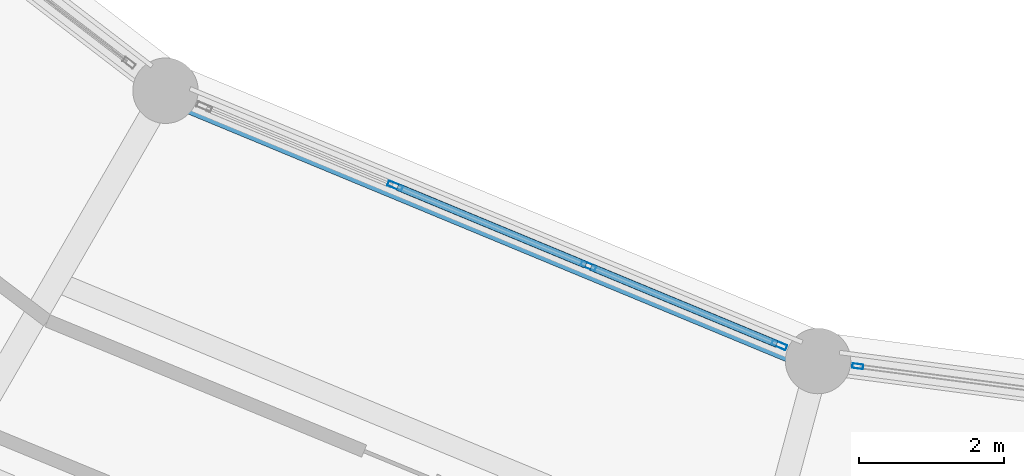
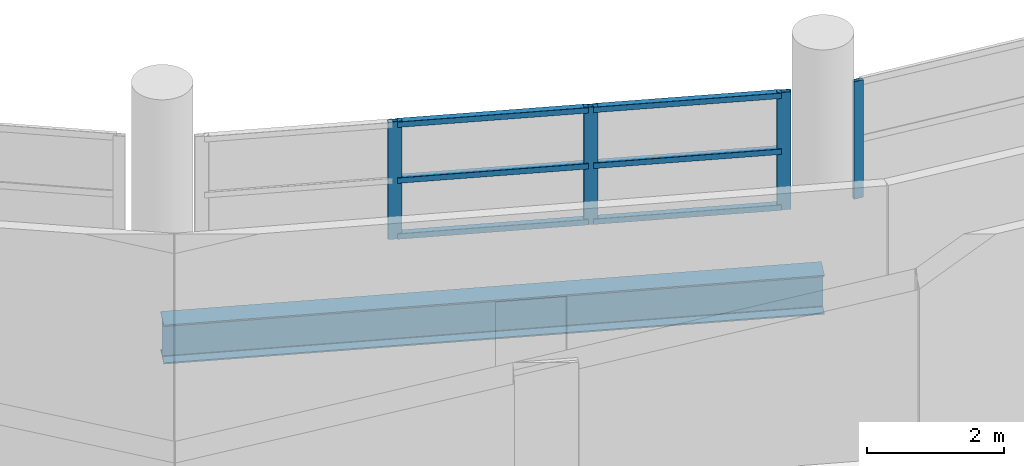
# One storey, part 11 of 88: 10 members, 1 beam, 2 elements without a shape of their own.
"""IFC4 building model written with IfcOpenShell, lengths in metres."""

from ifc_helpers import new_model, si_unit, direction, frame, origin, origin_2d, place, context, subcontext, project, spatial, hollow_rectangle, i_section, extrude, material, layer, layer_set, material_profile, profile_set, type_object, element, aggregate, save


model = new_model("IFC4")

# Units and contexts
model_context = context("Model", 3, precision=1e-05, world=origin(), true_north=direction((0.0, 1.0)))
body_context = subcontext(model_context, "Body", "Model", "MODEL_VIEW")
ifc_project = project(units=[si_unit("LENGTHUNIT", "METRE"), si_unit("AREAUNIT", "SQUARE_METRE"), si_unit("VOLUMEUNIT", "CUBIC_METRE"), si_unit("PLANEANGLEUNIT", "RADIAN"), si_unit("MASSUNIT", "GRAM", prefix="KILO")], contexts=[model_context])

# Site, building, storey
site_placement = place(None, origin())
site = spatial("IfcSite", under=ifc_project, at=site_placement, CompositionType="ELEMENT")
building_placement = place(site_placement, origin())
building = spatial("IfcBuilding", under=site, at=building_placement, Name="Vespera Passage Community Centre", CompositionType="ELEMENT")
storey_placement = place(building_placement, frame((0.0, 0.0, 16.5)))
storey = spatial("IfcBuildingStorey", under=building, at=storey_placement, Name="L04", CompositionType="ELEMENT", Elevation=16.5)

# Beam
ifc_material_1 = material(Name="Steel ASTM A992 Grade 50", Category="steel")
ifc_material_profile_1 = material_profile(ifc_material_1, i_section(OverallWidth=0.3544921875, OverallDepth=0.695556640625, WebThickness=0.015380859375, FlangeThickness=0.024658203125, FilletRadius=0.01513671875, at=origin_2d()), Name="W27X146")
ifc_profile_set_1 = profile_set([ifc_material_profile_1], Name="Steel ASTM A992 Grade 50")
beam_type = type_object("IfcBeamType", Name="BM-SP-W27X146E", PredefinedType="SPANDREL", material=ifc_profile_set_1)
beam_placement = place(storey_placement, frame((59.39990234375, 33.283935546875, -0.647705078125), z_axis=(0.923878947685, -0.382684844258, 0.0), x_axis=(0.382684844258, 0.923878947685, 0.0)))
element("IfcBeam", 1, at=beam_placement, inside=storey, type_object=beam_type, Name="V4 L04 Inner Spandrel 16", PredefinedType="SPANDREL", context=body_context, shape_type="SweptSolid", body=[
    extrude(i_section(OverallWidth=0.3544921875, OverallDepth=0.695556640625, WebThickness=0.015380859375, FlangeThickness=0.024658203125, FilletRadius=0.01513671875, at=origin_2d()), origin(), (0.0, 0.0, 1.0), 9.711181640625),
])

# Curtain wall, member
ifc_material_2 = material(Name="Anodized aluminium 6063-T6", Category="aluminium")
ifc_layer_1 = layer(ifc_material_2, 0.159912109375)
ifc_layer_set_1 = layer_set([ifc_layer_1], Name="Anodized aluminium 6063-T6")
curtain_wall_type_1 = type_object("IfcCurtainWallType", Name="CW-58E", PredefinedType="NOTDEFINED", material=ifc_layer_set_1)
curtain_wall_1_placement = place(storey_placement, origin())
curtain_wall_1 = element("IfcCurtainWall", 2, at=curtain_wall_1_placement, inside=storey, type_object=curtain_wall_type_1, Name="V4 L04 Inner Court Curtain Wall 17", PredefinedType="NOTDEFINED")
ifc_material_3 = material(Name="Anodized aluminium 6063-T6", Category="aluminium")
ifc_material_profile_2 = material_profile(ifc_material_3, hollow_rectangle(XDim=0.06494140625, YDim=0.14990234375, WallThickness=0.00390625, InnerFilletRadius=0.001953125, OuterFilletRadius=0.00390625, at=origin_2d()), Name="ALU150X65X4")
ifc_profile_set_2 = profile_set([ifc_material_profile_2], Name="Anodized aluminium 6063-T6")
member_type_1 = type_object("IfcMemberType", Name="MB-CWM-150E", PredefinedType="MULLION", material=ifc_profile_set_2)
member_1_placement = place(storey_placement, frame((68.917236328125, 29.495849609375, 0.820068359375), z_axis=(0.0, 0.0, 1.0), x_axis=(0.1305221941, 0.991445387728, 0.0)))
member_1 = element("IfcMember", 3, at=member_1_placement, type_object=member_type_1, Name="CW-58E mullion 1", PredefinedType="MULLION", context=body_context, shape_type="SweptSolid", body=[
    extrude(hollow_rectangle(XDim=0.06494140625, YDim=0.14990234375, WallThickness=0.00390625, InnerFilletRadius=0.001953125, OuterFilletRadius=0.00390625, at=origin_2d()), origin(), (0.0, 0.0, 1.0), 2.08935546875),
])
aggregate(curtain_wall_1, [member_1])

# Curtain wall, members
ifc_material_4 = material(Name="Anodized aluminium 6063-T6", Category="aluminium")
ifc_layer_2 = layer(ifc_material_4, 0.159912109375)
ifc_layer_set_2 = layer_set([ifc_layer_2], Name="Anodized aluminium 6063-T6")
curtain_wall_type_2 = type_object("IfcCurtainWallType", Name="CW-56E", PredefinedType="NOTDEFINED", material=ifc_layer_set_2)
curtain_wall_2_placement = place(storey_placement, origin())
curtain_wall_2 = element("IfcCurtainWall", 4, at=curtain_wall_2_placement, inside=storey, type_object=curtain_wall_type_2, Name="V4 L04 Inner Court Curtain Wall 16", PredefinedType="NOTDEFINED")
ifc_material_5 = material(Name="Anodized aluminium 6063-T6", Category="aluminium")
ifc_material_profile_3 = material_profile(ifc_material_5, hollow_rectangle(XDim=0.074951171875, YDim=0.2099609375, WallThickness=0.0048828125, InnerFilletRadius=0.00244140625, OuterFilletRadius=0.0048828125, at=origin_2d()), Name="ALU210X75X5")
ifc_profile_set_3 = profile_set([ifc_material_profile_3], Name="Anodized aluminium 6063-T6")
member_type_2 = type_object("IfcMemberType", Name="MB-CWM-210E", PredefinedType="MULLION", material=ifc_profile_set_3)
member_2_placement = place(storey_placement, frame((62.556884765625, 31.976318359375, 0.820068359375), z_axis=(0.0, 0.0, 1.0), x_axis=(0.382690463482, 0.923876620096, 0.0)))
member_2 = element("IfcMember", 5, at=member_2_placement, type_object=member_type_2, Name="CW-56E mullion 2", PredefinedType="MULLION", context=body_context, shape_type="SweptSolid", body=[
    extrude(hollow_rectangle(XDim=0.074951171875, YDim=0.2099609375, WallThickness=0.0048828125, InnerFilletRadius=0.00244140625, OuterFilletRadius=0.0048828125, at=origin_2d()), origin(), (0.0, 0.0, 1.0), 2.08935546875),
])
member_3_placement = place(storey_placement, frame((65.215087890625, 30.875244140625, 0.820068359375), z_axis=(0.0, 0.0, 1.0), x_axis=(0.382690463482, 0.923876620096, 0.0)))
member_3 = element("IfcMember", 6, at=member_3_placement, type_object=member_type_2, Name="CW-56E mullion 3", PredefinedType="MULLION", context=body_context, shape_type="SweptSolid", body=[
    extrude(hollow_rectangle(XDim=0.074951171875, YDim=0.2099609375, WallThickness=0.0048828125, InnerFilletRadius=0.00244140625, OuterFilletRadius=0.0048828125, at=origin_2d()), origin(), (0.0, 0.0, 1.0), 2.08935546875),
])
member_4_placement = place(storey_placement, frame((67.838623046875, 29.788330078125, 0.820068359375), z_axis=(0.0, 0.0, 1.0), x_axis=(0.382690463482, 0.923876620096, 0.0)))
member_4 = element("IfcMember", 7, at=member_4_placement, type_object=member_type_2, Name="CW-56E mullion 4", PredefinedType="MULLION", context=body_context, shape_type="SweptSolid", body=[
    extrude(hollow_rectangle(XDim=0.074951171875, YDim=0.2099609375, WallThickness=0.0048828125, InnerFilletRadius=0.00244140625, OuterFilletRadius=0.0048828125, at=origin_2d()), origin(), (0.0, 0.0, 1.0), 2.08935546875),
])
ifc_material_6 = material(Name="Anodized aluminium 6063-T6", Category="aluminium")
ifc_material_profile_4 = material_profile(ifc_material_6, hollow_rectangle(XDim=0.10009765625, YDim=0.10009765625, WallThickness=0.00390625, InnerFilletRadius=0.001953125, OuterFilletRadius=0.00390625, at=origin_2d()), Name="ALU100X100X4")
ifc_profile_set_4 = profile_set([ifc_material_profile_4], Name="Anodized aluminium 6063-T6")
member_type_3 = type_object("IfcMemberType", Name="MB-CWT-100E", PredefinedType="USERDEFINED", material=ifc_profile_set_4)
member_5_placement = place(storey_placement, frame((62.591552734375, 31.9619140625, 0.8701171875), z_axis=(0.923889408399, -0.382659588994, 0.0), x_axis=(0.382659588994, 0.923889408399, 0.0)))
member_5 = element("IfcMember", 8, at=member_5_placement, type_object=member_type_3, Name="CW-56E transom 2.1", ObjectType="TRANSOM", PredefinedType="USERDEFINED", context=body_context, shape_type="SweptSolid", body=[
    extrude(hollow_rectangle(XDim=0.10009765625, YDim=0.10009765625, WallThickness=0.00390625, InnerFilletRadius=0.001953125, OuterFilletRadius=0.00390625, at=origin_2d()), origin(), (0.0, 0.0, 1.0), 2.80224609375),
])
member_6_placement = place(storey_placement, frame((62.591552734375, 31.9619140625, 1.86474609375), z_axis=(0.923889408399, -0.382659588994, 0.0), x_axis=(0.382659588994, 0.923889408399, 0.0)))
member_6 = element("IfcMember", 9, at=member_6_placement, type_object=member_type_3, Name="CW-56E transom 2.2", ObjectType="TRANSOM", PredefinedType="USERDEFINED", context=body_context, shape_type="SweptSolid", body=[
    extrude(hollow_rectangle(XDim=0.10009765625, YDim=0.10009765625, WallThickness=0.00390625, InnerFilletRadius=0.001953125, OuterFilletRadius=0.00390625, at=origin_2d()), origin(), (0.0, 0.0, 1.0), 2.80224609375),
])
member_7_placement = place(storey_placement, frame((62.591552734375, 31.9619140625, 2.859375), z_axis=(0.923889408399, -0.382659588994, 0.0), x_axis=(0.382659588994, 0.923889408399, 0.0)))
member_7 = element("IfcMember", 10, at=member_7_placement, type_object=member_type_3, Name="CW-56E transom 2.3", ObjectType="TRANSOM", PredefinedType="USERDEFINED", context=body_context, shape_type="SweptSolid", body=[
    extrude(hollow_rectangle(XDim=0.10009765625, YDim=0.10009765625, WallThickness=0.00390625, InnerFilletRadius=0.001953125, OuterFilletRadius=0.00390625, at=origin_2d()), origin(), (0.0, 0.0, 1.0), 2.80224609375),
])
member_8_placement = place(storey_placement, frame((65.249755859375, 30.86083984375, 0.8701171875), z_axis=(0.923863992677, -0.382720946689, 0.0), x_axis=(0.382720946689, 0.923863992677, 0.0)))
member_8 = element("IfcMember", 11, at=member_8_placement, type_object=member_type_3, Name="CW-56E transom 3.1", ObjectType="TRANSOM", PredefinedType="USERDEFINED", context=body_context, shape_type="SweptSolid", body=[
    extrude(hollow_rectangle(XDim=0.10009765625, YDim=0.10009765625, WallThickness=0.00390625, InnerFilletRadius=0.001953125, OuterFilletRadius=0.00390625, at=origin_2d()), origin(), (0.0, 0.0, 1.0), 2.7646484375),
])
member_9_placement = place(storey_placement, frame((65.249755859375, 30.86083984375, 1.86474609375), z_axis=(0.923863992677, -0.382720946689, 0.0), x_axis=(0.382720946689, 0.923863992677, 0.0)))
member_9 = element("IfcMember", 12, at=member_9_placement, type_object=member_type_3, Name="CW-56E transom 3.2", ObjectType="TRANSOM", PredefinedType="USERDEFINED", context=body_context, shape_type="SweptSolid", body=[
    extrude(hollow_rectangle(XDim=0.10009765625, YDim=0.10009765625, WallThickness=0.00390625, InnerFilletRadius=0.001953125, OuterFilletRadius=0.00390625, at=origin_2d()), origin(), (0.0, 0.0, 1.0), 2.7646484375),
])
member_10_placement = place(storey_placement, frame((65.249755859375, 30.86083984375, 2.859375), z_axis=(0.923863992677, -0.382720946689, 0.0), x_axis=(0.382720946689, 0.923863992677, 0.0)))
member_10 = element("IfcMember", 13, at=member_10_placement, type_object=member_type_3, Name="CW-56E transom 3.3", ObjectType="TRANSOM", PredefinedType="USERDEFINED", context=body_context, shape_type="SweptSolid", body=[
    extrude(hollow_rectangle(XDim=0.10009765625, YDim=0.10009765625, WallThickness=0.00390625, InnerFilletRadius=0.001953125, OuterFilletRadius=0.00390625, at=origin_2d()), origin(), (0.0, 0.0, 1.0), 2.7646484375),
])
aggregate(curtain_wall_2, [member_2, member_3, member_4, member_5, member_6, member_7, member_8, member_9, member_10])

save(model, "model.ifc")
